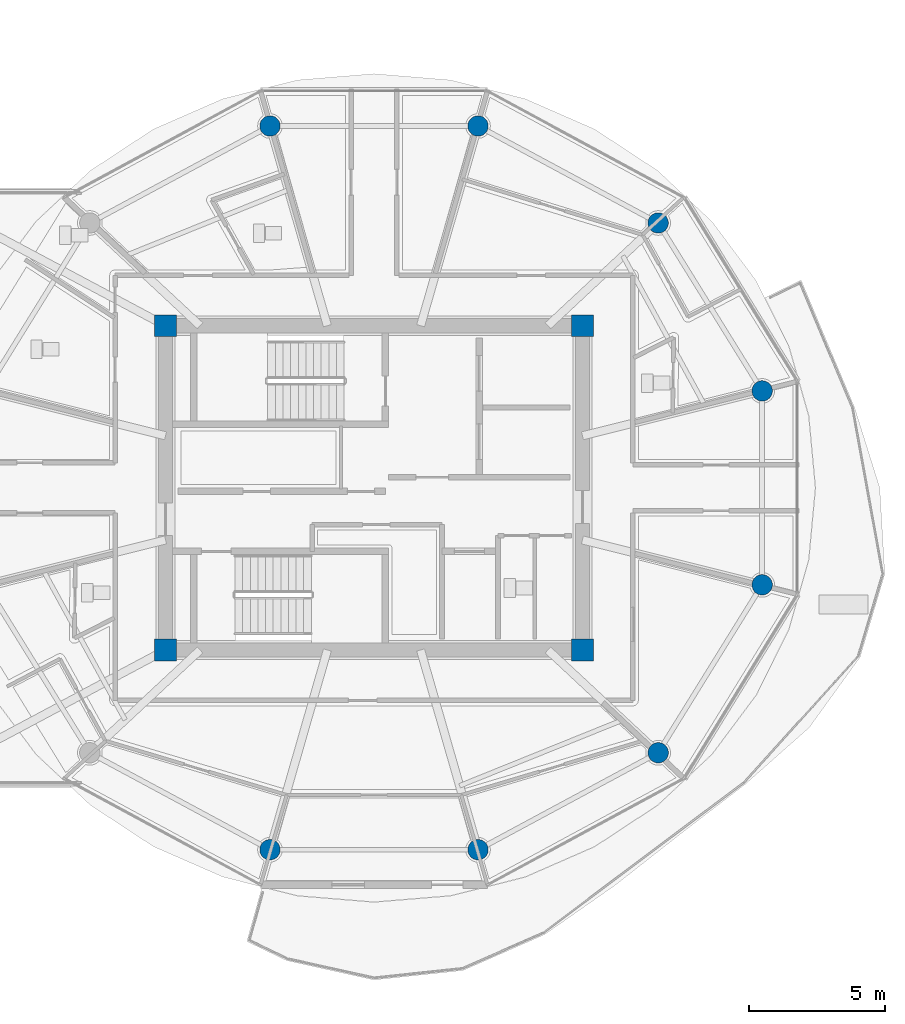
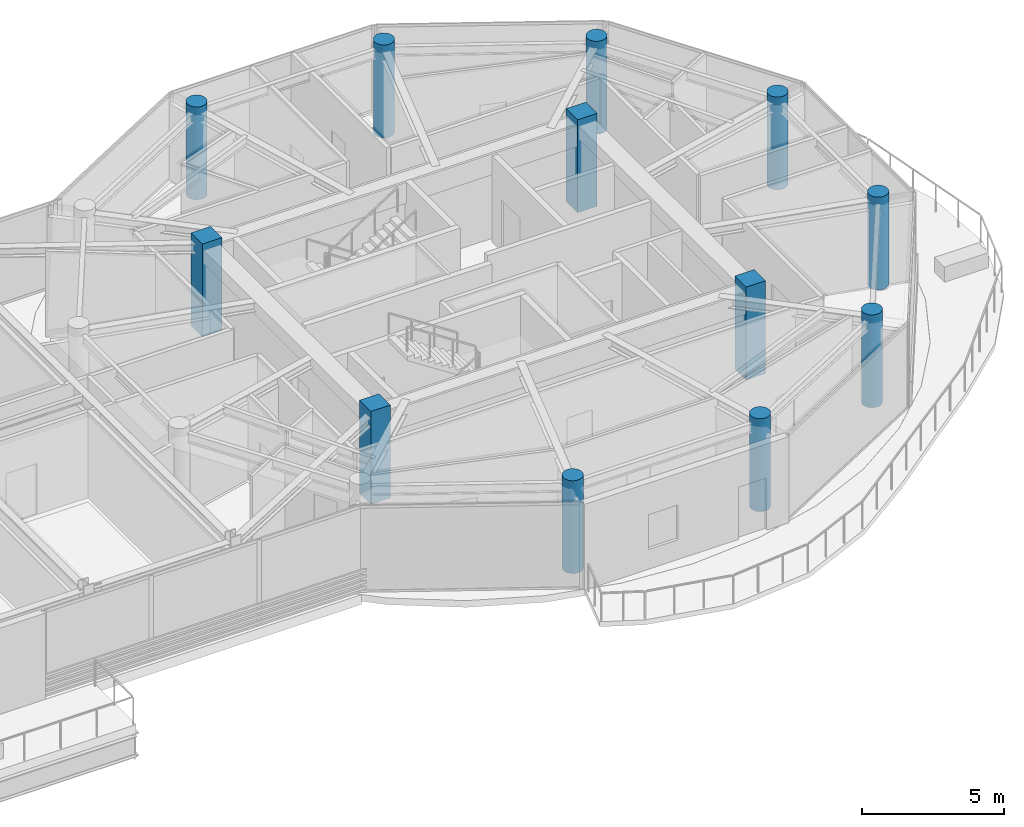
# One storey, part 2 of 31: 12 columns.
"""IFC4 building model written with IfcOpenShell, lengths in metres."""

from ifc_helpers import new_model, si_unit, direction, frame, origin, origin_2d, place, context, subcontext, project, spatial, rectangle, circle, extrude, source, transform, mapped, material, material_profile, profile_set, type_object, type_shapes, element, save


model = new_model("IFC4")

# Units and contexts
model_context = context("Model", 3, precision=1e-05, world=origin(), true_north=direction((0.0, 1.0)))
body_context = subcontext(model_context, "Body", "Model", "MODEL_VIEW")
ifc_project = project(units=[si_unit("LENGTHUNIT", "METRE"), si_unit("AREAUNIT", "SQUARE_METRE"), si_unit("VOLUMEUNIT", "CUBIC_METRE"), si_unit("PLANEANGLEUNIT", "RADIAN"), si_unit("MASSUNIT", "GRAM", prefix="KILO")], contexts=[model_context])

# Site, building, storey
site_placement = place(None, origin())
site = spatial("IfcSite", under=ifc_project, at=site_placement, CompositionType="ELEMENT")
building_placement = place(site_placement, origin())
building = spatial("IfcBuilding", under=site, at=building_placement, Name="Norrkilde Senior Care Towers", CompositionType="ELEMENT")
storey_placement = place(building_placement, frame((0.0, 0.0, 199.800048828125)))
storey = spatial("IfcBuildingStorey", under=building, at=storey_placement, Name="L62", CompositionType="ELEMENT", Elevation=199.800048828125)

# Columns
ifc_material_1 = material(Name="Concrete C60/75", Category="concrete")
ifc_material_profile_1 = material_profile(ifc_material_1, rectangle(XDim=0.800048828125, YDim=0.800048828125, at=origin_2d()), Name="RC COL 800x800")
ifc_profile_set_1 = profile_set([ifc_material_profile_1], Name="Concrete C60/75")
column_type_1 = type_object("IfcColumnType", Name="Column Core Corner Z3-Z4 800", PredefinedType="COLUMN", material=ifc_profile_set_1)
shared_shape_1 = source(origin(), body_context, "Body", "SweptSolid", [
    extrude(rectangle(XDim=0.800048828125, YDim=0.800048828125, at=origin_2d()), origin(), (0.0, 0.0, 1.0), 4.0),
])
type_shapes(column_type_1, [shared_shape_1])
for number, where, z_axis, x_axis, name in (
    (1, (20.35009765625, -5.949951171875, 0.0), (0.0, 0.0, 1.0), (1.0, 0.0, 0.0), "L62 Core E Corner Column 1"),
    (2, (35.64990234375, -5.949951171875, 0.0), (0.0, 0.0, 1.0), (1.0, 0.0, 0.0), "L62 Core E Corner Column 2"),
    (3, (35.64990234375, 5.949951171875, 0.0), (0.0, 0.0, 1.0), (1.0, 0.0, 0.0), "L62 Core E Corner Column 3"),
    (4, (20.35009765625, 5.949951171875, 0.0), (0.0, 0.0, 1.0), (1.0, 0.0, 0.0), "L62 Core E Corner Column 4"),
):
    element("IfcColumn", number, at=place(storey_placement, frame(where, z_axis=z_axis, x_axis=x_axis)), inside=storey, type_object=column_type_1, Name=name, PredefinedType="COLUMN", context=body_context, shape_type="MappedRepresentation", body=[
        mapped(shared_shape_1, transform((0.0, 0.0, 0.0), x_axis=(1.0, 0.0, 0.0), y_axis=(0.0, 1.0, 0.0), z_axis=(0.0, 0.0, 1.0), scale=1.0)),
    ])
ifc_material_2 = material(Name="Concrete C50/60", Category="concrete")
ifc_material_profile_2 = material_profile(ifc_material_2, circle(Radius=0.375, at=origin_2d()), Name="RC CIR 750")
ifc_profile_set_2 = profile_set([ifc_material_profile_2], Name="Concrete C50/60")
column_type_2 = type_object("IfcColumnType", Name="Column Perimeter Z4 750", PredefinedType="COLUMN", material=ifc_profile_set_2)
shared_shape_2 = source(origin(), body_context, "Body", "SweptSolid", [
    extrude(circle(Radius=0.375, at=origin_2d()), origin(), (0.0, 0.0, 1.0), 4.0),
])
type_shapes(column_type_2, [shared_shape_2])
for number, where, z_axis, x_axis, name in (
    (5, (42.247314453125, 3.558837890625, 0.0), (0.0, 0.0, 1.0), (1.0, 0.0, 0.0), "L62 Drum E Perimeter Column 01"),
    (6, (38.429931640625, 9.72265625, 0.0), (0.0, 0.0, 1.0), (1.0, 0.0, 0.0), "L62 Drum E Perimeter Column 02"),
    (7, (31.817626953125, 13.281494140625, 0.0), (0.0, 0.0, 1.0), (1.0, 0.0, 0.0), "L62 Drum E Perimeter Column 03"),
    (8, (24.182373046875, 13.281494140625, 0.0), (0.0, 0.0, 1.0), (1.0, 0.0, 0.0), "L62 Drum E Perimeter Column 04"),
    (9, (24.182373046875, -13.281494140625, 0.0), (0.0, 0.0, 1.0), (1.0, 0.0, 0.0), "L62 Drum E Perimeter Column 09"),
    (10, (31.817626953125, -13.281494140625, 0.0), (0.0, 0.0, 1.0), (1.0, 0.0, 0.0), "L62 Drum E Perimeter Column 10"),
    (11, (38.429931640625, -9.72265625, 0.0), (0.0, 0.0, 1.0), (1.0, 0.0, 0.0), "L62 Drum E Perimeter Column 11"),
    (12, (42.247314453125, -3.558837890625, 0.0), (0.0, 0.0, 1.0), (1.0, 0.0, 0.0), "L62 Drum E Perimeter Column 12"),
):
    element("IfcColumn", number, at=place(storey_placement, frame(where, z_axis=z_axis, x_axis=x_axis)), inside=storey, type_object=column_type_2, Name=name, PredefinedType="COLUMN", context=body_context, shape_type="MappedRepresentation", body=[
        mapped(shared_shape_2, transform((0.0, 0.0, 0.0), x_axis=(1.0, 0.0, 0.0), y_axis=(0.0, 1.0, 0.0), z_axis=(0.0, 0.0, 1.0), scale=1.0)),
    ])

save(model, "model.ifc")
